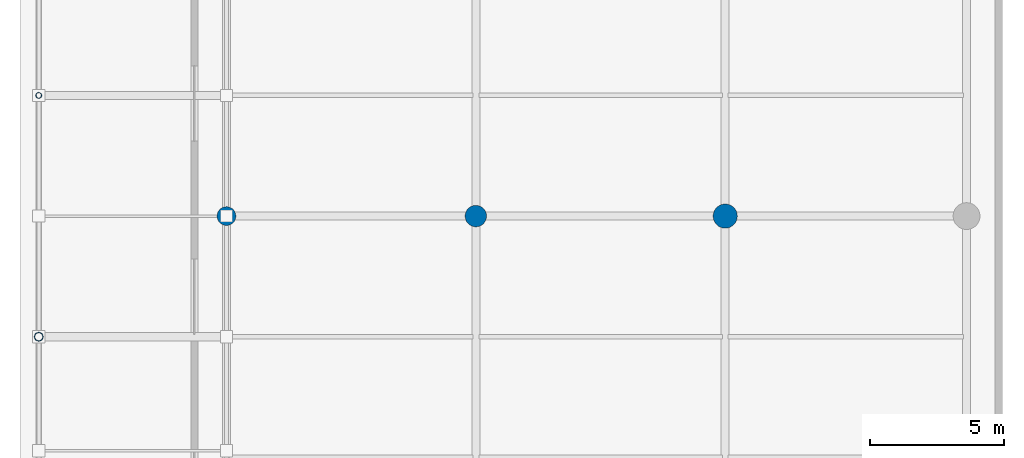
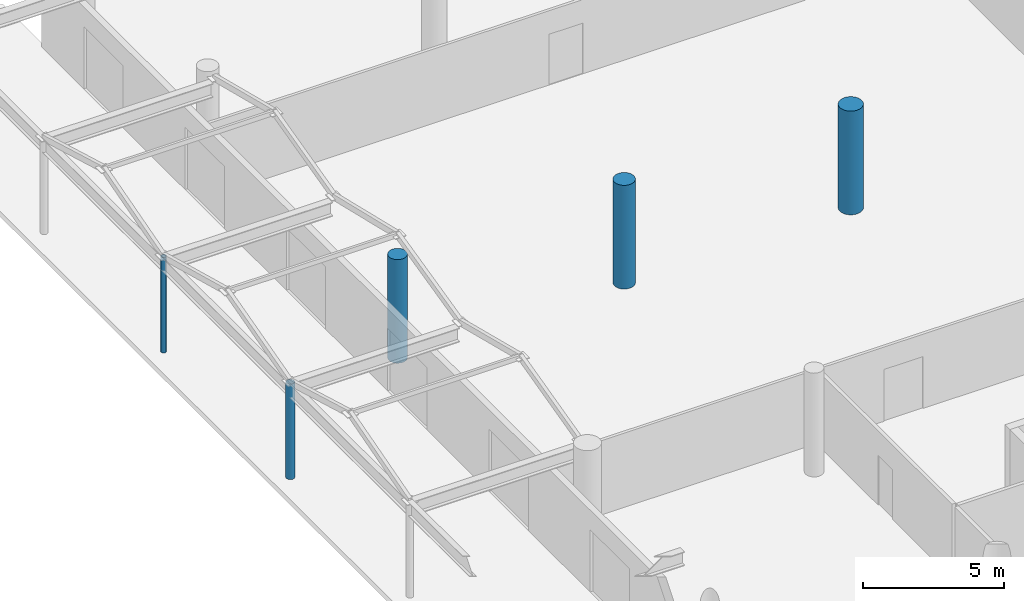
# One storey, part 9 of 122: 5 columns.
"""IFC4 building model written with IfcOpenShell, lengths in metres."""

from ifc_helpers import new_model, si_unit, direction, frame, origin, origin_2d, place, context, subcontext, project, spatial, circle, hollow_circle, extrude, material, material_profile, profile_set, type_object, element, save


model = new_model("IFC4")

# Units and contexts
model_context = context("Model", 3, precision=1e-05, world=origin(), true_north=direction((0.0, 1.0)))
body_context = subcontext(model_context, "Body", "Model", "MODEL_VIEW")
ifc_project = project(units=[si_unit("LENGTHUNIT", "METRE"), si_unit("AREAUNIT", "SQUARE_METRE"), si_unit("VOLUMEUNIT", "CUBIC_METRE"), si_unit("PLANEANGLEUNIT", "RADIAN"), si_unit("MASSUNIT", "GRAM", prefix="KILO")], contexts=[model_context])

# Site, building, storey
site_placement = place(None, origin())
site = spatial("IfcSite", under=ifc_project, at=site_placement, CompositionType="ELEMENT")
building_placement = place(site_placement, origin())
building = spatial("IfcBuilding", under=site, at=building_placement, Name="Sohan Crest Arena", CompositionType="ELEMENT")
storey_placement = place(building_placement, origin())
storey = spatial("IfcBuildingStorey", under=building, at=storey_placement, Name="L00", CompositionType="ELEMENT", Elevation=0.0)

# Columns
ifc_material_1 = material(Name="Concrete C40/50", Category="concrete")
ifc_material_profile_1 = material_profile(ifc_material_1, circle(Radius=0.35009765625, at=origin_2d()), Name="RC D700")
ifc_profile_set_1 = profile_set([ifc_material_profile_1], Name="Concrete C40/50")
column_type_1 = type_object("IfcColumnType", Name="STR-COL-C13", PredefinedType="COLUMN", material=ifc_profile_set_1)
column_1_placement = place(storey_placement, frame((15.199951171875, 78.0, 0.0), z_axis=(0.0, 0.0, 1.0), x_axis=(1.0, 0.0, 0.0)))
element("IfcColumn", 1, at=column_1_placement, inside=storey, type_object=column_type_1, Name="Structural column COL-V3C-13-L00", PredefinedType="COLUMN", context=body_context, shape_type="SweptSolid", body=[
    extrude(circle(Radius=0.35009765625, at=origin_2d()), origin(), (0.0, 0.0, 1.0), 4.5),
])
ifc_material_profile_2 = material_profile(ifc_material_1, circle(Radius=0.39990234375, at=origin_2d()), Name="RC D800")
ifc_profile_set_2 = profile_set([ifc_material_profile_2], Name="Concrete C40/50")
column_type_2 = type_object("IfcColumnType", Name="STR-COL-C14", PredefinedType="COLUMN", material=ifc_profile_set_2)
column_2_placement = place(storey_placement, frame((24.5, 78.0, 0.0), z_axis=(0.0, 0.0, 1.0), x_axis=(1.0, 0.0, 0.0)))
element("IfcColumn", 2, at=column_2_placement, inside=storey, type_object=column_type_2, Name="Structural column COL-V3C-23-L00", PredefinedType="COLUMN", context=body_context, shape_type="SweptSolid", body=[
    extrude(circle(Radius=0.39990234375, at=origin_2d()), origin(), (0.0, 0.0, 1.0), 4.5),
])
ifc_material_profile_3 = material_profile(ifc_material_1, circle(Radius=0.449951171875, at=origin_2d()), Name="RC D900")
ifc_profile_set_3 = profile_set([ifc_material_profile_3], Name="Concrete C40/50")
column_type_3 = type_object("IfcColumnType", Name="STR-COL-C15", PredefinedType="COLUMN", material=ifc_profile_set_3)
column_3_placement = place(storey_placement, frame((33.800048828125, 78.0, 0.0), z_axis=(0.0, 0.0, 1.0), x_axis=(1.0, 0.0, 0.0)))
element("IfcColumn", 3, at=column_3_placement, inside=storey, type_object=column_type_3, Name="Structural column COL-V3C-33-L00", PredefinedType="COLUMN", context=body_context, shape_type="SweptSolid", body=[
    extrude(circle(Radius=0.449951171875, at=origin_2d()), origin(), (0.0, 0.0, 1.0), 4.5),
])
ifc_material_2 = material(Name="Steel S355", Category="steel")
ifc_material_profile_4 = material_profile(ifc_material_2, hollow_circle(Radius=0.109619140625, WallThickness=0.010009765625, at=origin_2d()), Name="CHS 219.1x10")
ifc_profile_set_4 = profile_set([ifc_material_profile_4], Name="Steel S355")
column_type_4 = type_object("IfcColumnType", Name="STR-COL-C24", PredefinedType="COLUMN", material=ifc_profile_set_4)
column_4_placement = place(storey_placement, frame((8.199951171875, 82.5, 0.0), z_axis=(0.0, 0.0, 1.0), x_axis=(1.0, 0.0, 0.0)))
element("IfcColumn", 4, at=column_4_placement, inside=storey, type_object=column_type_4, Name="Structural column COL-V3P-03-L00", PredefinedType="COLUMN", context=body_context, shape_type="SweptSolid", body=[
    extrude(hollow_circle(Radius=0.109619140625, WallThickness=0.010009765625, at=origin_2d()), origin(), (0.0, 0.0, 1.0), 4.139892578125),
])
ifc_material_profile_5 = material_profile(ifc_material_2, hollow_circle(Radius=0.161865234375, WallThickness=0.012451171875, at=origin_2d()), Name="CHS 323.9x12.5")
ifc_profile_set_5 = profile_set([ifc_material_profile_5], Name="Steel S355")
column_type_5 = type_object("IfcColumnType", Name="STR-COL-C26", PredefinedType="COLUMN", material=ifc_profile_set_5)
column_5_placement = place(storey_placement, frame((8.199951171875, 73.5, 0.0), z_axis=(0.0, 0.0, 1.0), x_axis=(1.0, 0.0, 0.0)))
element("IfcColumn", 5, at=column_5_placement, inside=storey, type_object=column_type_5, Name="Structural column COL-V3P-02-L00", PredefinedType="COLUMN", context=body_context, shape_type="SweptSolid", body=[
    extrude(hollow_circle(Radius=0.161865234375, WallThickness=0.012451171875, at=origin_2d()), origin(), (0.0, 0.0, 1.0), 4.139892578125),
])

save(model, "model.ifc")
